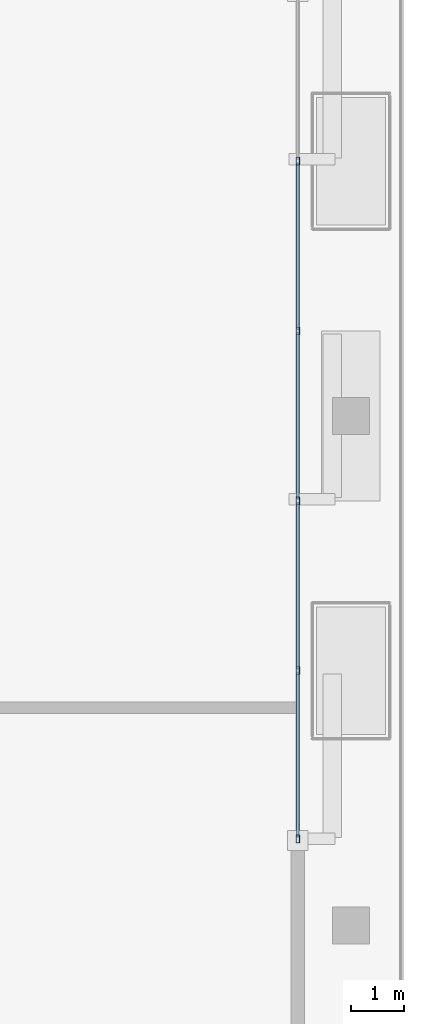
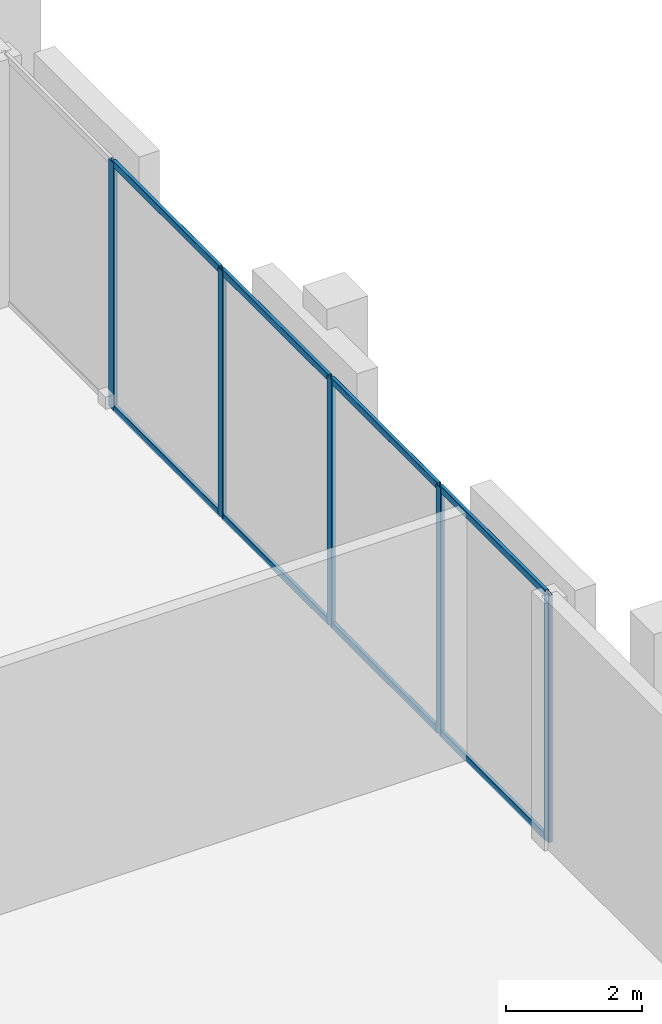
# One storey, part 6 of 16: 13 members, 1 element without a shape of its own.
"""IFC4 building model written with IfcOpenShell, lengths in metres."""

from ifc_helpers import new_model, si_unit, direction, frame, origin, origin_2d, place, context, subcontext, project, spatial, hollow_rectangle, extrude, material, layer, layer_set, material_profile, profile_set, type_object, element, aggregate, save


model = new_model("IFC4")

# Units and contexts
model_context = context("Model", 3, precision=1e-05, world=origin(), true_north=direction((0.0, 1.0)))
body_context = subcontext(model_context, "Body", "Model", "MODEL_VIEW")
ifc_project = project(units=[si_unit("LENGTHUNIT", "METRE"), si_unit("AREAUNIT", "SQUARE_METRE"), si_unit("VOLUMEUNIT", "CUBIC_METRE"), si_unit("PLANEANGLEUNIT", "RADIAN"), si_unit("MASSUNIT", "GRAM", prefix="KILO")], contexts=[model_context])

# Site, building, storey
site_placement = place(None, origin())
site = spatial("IfcSite", under=ifc_project, at=site_placement, CompositionType="ELEMENT")
building_placement = place(site_placement, origin())
building = spatial("IfcBuilding", under=site, at=building_placement, Name="An Khanh Terracotta Commons", CompositionType="ELEMENT")
storey_placement = place(building_placement, frame((0.0, 0.0, 5.39990234375)))
storey = spatial("IfcBuildingStorey", under=building, at=storey_placement, Name="L02", CompositionType="ELEMENT", Elevation=5.39990234375)

# Curtain wall, members
ifc_material = material(Name="Anodised Aluminium 6063-T6", Category="aluminium")
ifc_layer = layer(ifc_material, 0.179931640625, Name="Anodised Aluminium 6063-T6")
ifc_layer_set = layer_set([ifc_layer], Name="Anodised Aluminium 6063-T6")
curtain_wall_type = type_object("IfcCurtainWallType", Name="CW-SYS-01", PredefinedType="USERDEFINED", material=ifc_layer_set)
curtain_wall_placement = place(storey_placement, origin())
curtain_wall = element("IfcCurtainWall", 1, at=curtain_wall_placement, inside=storey, type_object=curtain_wall_type, Name="L02 CW-01 Unitised Curtain Wall CW-L02-EAST", ObjectType="UNITISED CURTAIN WALL", PredefinedType="USERDEFINED")
ifc_material_profile_1 = material_profile(ifc_material, hollow_rectangle(XDim=0.06494140625, YDim=0.14990234375, WallThickness=0.00390625, InnerFilletRadius=0.00390625, OuterFilletRadius=0.008056640625, at=origin_2d()), Name="RHS150x65x4")
ifc_profile_set_1 = profile_set([ifc_material_profile_1], Name="Anodised Aluminium 6063-T6")
member_type_1 = type_object("IfcMemberType", Name="CWM-RHS150x65x4", PredefinedType="MULLION", material=ifc_profile_set_1)
member_1_placement = place(storey_placement, frame((71.800048828125, 16.032470703125, 0.0), z_axis=(0.0, 0.0, 1.0), x_axis=(-1.0, 0.0, 0.0)))
member_1 = element("IfcMember", 2, at=member_1_placement, type_object=member_type_1, Name="CW-01 mullion 1", PredefinedType="MULLION", context=body_context, shape_type="SweptSolid", body=[
    extrude(hollow_rectangle(XDim=0.06494140625, YDim=0.14990234375, WallThickness=0.00390625, InnerFilletRadius=0.00390625, OuterFilletRadius=0.008056640625, at=origin_2d()), origin(), (0.0, 0.0, 1.0), 4.43017578125),
])
member_2_placement = place(storey_placement, frame((71.800048828125, 19.199951171875, 0.0), z_axis=(0.0, 0.0, 1.0), x_axis=(-1.0, 0.0, 0.0)))
member_2 = element("IfcMember", 3, at=member_2_placement, type_object=member_type_1, Name="CW-01 mullion 2", PredefinedType="MULLION", context=body_context, shape_type="SweptSolid", body=[
    extrude(hollow_rectangle(XDim=0.06494140625, YDim=0.14990234375, WallThickness=0.00390625, InnerFilletRadius=0.00390625, OuterFilletRadius=0.008056640625, at=origin_2d()), origin(), (0.0, 0.0, 1.0), 4.43017578125),
])
member_3_placement = place(storey_placement, frame((71.800048828125, 22.39990234375, 0.0), z_axis=(0.0, 0.0, 1.0), x_axis=(-1.0, 0.0, 0.0)))
member_3 = element("IfcMember", 4, at=member_3_placement, type_object=member_type_1, Name="CW-01 mullion 3", PredefinedType="MULLION", context=body_context, shape_type="SweptSolid", body=[
    extrude(hollow_rectangle(XDim=0.06494140625, YDim=0.14990234375, WallThickness=0.00390625, InnerFilletRadius=0.00390625, OuterFilletRadius=0.008056640625, at=origin_2d()), origin(), (0.0, 0.0, 1.0), 4.43017578125),
])
member_4_placement = place(storey_placement, frame((71.800048828125, 25.60009765625, 0.0), z_axis=(0.0, 0.0, 1.0), x_axis=(-1.0, 0.0, 0.0)))
member_4 = element("IfcMember", 5, at=member_4_placement, type_object=member_type_1, Name="CW-01 mullion 4", PredefinedType="MULLION", context=body_context, shape_type="SweptSolid", body=[
    extrude(hollow_rectangle(XDim=0.06494140625, YDim=0.14990234375, WallThickness=0.00390625, InnerFilletRadius=0.00390625, OuterFilletRadius=0.008056640625, at=origin_2d()), origin(), (0.0, 0.0, 1.0), 4.43017578125),
])
member_5_placement = place(storey_placement, frame((71.800048828125, 28.800048828125, 0.0), z_axis=(0.0, 0.0, 1.0), x_axis=(-1.0, 0.0, 0.0)))
member_5 = element("IfcMember", 6, at=member_5_placement, type_object=member_type_1, Name="CW-01 mullion 5", PredefinedType="MULLION", context=body_context, shape_type="SweptSolid", body=[
    extrude(hollow_rectangle(XDim=0.06494140625, YDim=0.14990234375, WallThickness=0.00390625, InnerFilletRadius=0.00390625, OuterFilletRadius=0.008056640625, at=origin_2d()), origin(), (0.0, 0.0, 1.0), 4.43017578125),
])
ifc_material_profile_2 = material_profile(ifc_material, hollow_rectangle(XDim=0.06005859375, YDim=0.1201171875, WallThickness=0.003662109375, InnerFilletRadius=0.003662109375, OuterFilletRadius=0.007080078125, at=origin_2d()), Name="RHS120x60x3.6")
ifc_profile_set_2 = profile_set([ifc_material_profile_2], Name="Anodised Aluminium 6063-T6")
member_type_2 = type_object("IfcMemberType", Name="CWT-RHS120x60x3.6", PredefinedType="USERDEFINED", material=ifc_profile_set_2)
member_6_placement = place(storey_placement, frame((71.800048828125, 16.06494140625, 0.030029296875), z_axis=(0.0, 1.0, 0.0), x_axis=(-1.0, 0.0, 0.0)))
member_6 = element("IfcMember", 7, at=member_6_placement, type_object=member_type_2, Name="CW-01 transom 1.1", ObjectType="TRANSOM", PredefinedType="USERDEFINED", context=body_context, shape_type="SweptSolid", body=[
    extrude(hollow_rectangle(XDim=0.06005859375, YDim=0.1201171875, WallThickness=0.003662109375, InnerFilletRadius=0.003662109375, OuterFilletRadius=0.007080078125, at=origin_2d()), origin(), (0.0, 0.0, 1.0), 3.1025390625),
])
member_7_placement = place(storey_placement, frame((71.800048828125, 16.06494140625, 4.400146484375), z_axis=(0.0, 1.0, 0.0), x_axis=(-1.0, 0.0, 0.0)))
member_7 = element("IfcMember", 8, at=member_7_placement, type_object=member_type_2, Name="CW-01 transom 1.2", ObjectType="TRANSOM", PredefinedType="USERDEFINED", context=body_context, shape_type="SweptSolid", body=[
    extrude(hollow_rectangle(XDim=0.06005859375, YDim=0.1201171875, WallThickness=0.003662109375, InnerFilletRadius=0.003662109375, OuterFilletRadius=0.007080078125, at=origin_2d()), origin(), (0.0, 0.0, 1.0), 3.1025390625),
])
member_8_placement = place(storey_placement, frame((71.800048828125, 19.232421875, 0.030029296875), z_axis=(0.0, 1.0, 0.0), x_axis=(-1.0, 0.0, 0.0)))
member_8 = element("IfcMember", 9, at=member_8_placement, type_object=member_type_2, Name="CW-01 transom 2.1", ObjectType="TRANSOM", PredefinedType="USERDEFINED", context=body_context, shape_type="SweptSolid", body=[
    extrude(hollow_rectangle(XDim=0.06005859375, YDim=0.1201171875, WallThickness=0.003662109375, InnerFilletRadius=0.003662109375, OuterFilletRadius=0.007080078125, at=origin_2d()), origin(), (0.0, 0.0, 1.0), 3.135009765625),
])
member_9_placement = place(storey_placement, frame((71.800048828125, 19.232421875, 4.400146484375), z_axis=(0.0, 1.0, 0.0), x_axis=(-1.0, 0.0, 0.0)))
member_9 = element("IfcMember", 10, at=member_9_placement, type_object=member_type_2, Name="CW-01 transom 2.2", ObjectType="TRANSOM", PredefinedType="USERDEFINED", context=body_context, shape_type="SweptSolid", body=[
    extrude(hollow_rectangle(XDim=0.06005859375, YDim=0.1201171875, WallThickness=0.003662109375, InnerFilletRadius=0.003662109375, OuterFilletRadius=0.007080078125, at=origin_2d()), origin(), (0.0, 0.0, 1.0), 3.135009765625),
])
member_10_placement = place(storey_placement, frame((71.800048828125, 22.4326171875, 0.030029296875), z_axis=(0.0, 1.0, 0.0), x_axis=(-1.0, 0.0, 0.0)))
member_10 = element("IfcMember", 11, at=member_10_placement, type_object=member_type_2, Name="CW-01 transom 3.1", ObjectType="TRANSOM", PredefinedType="USERDEFINED", context=body_context, shape_type="SweptSolid", body=[
    extrude(hollow_rectangle(XDim=0.06005859375, YDim=0.1201171875, WallThickness=0.003662109375, InnerFilletRadius=0.003662109375, OuterFilletRadius=0.007080078125, at=origin_2d()), origin(), (0.0, 0.0, 1.0), 3.134765625),
])
member_11_placement = place(storey_placement, frame((71.800048828125, 22.4326171875, 4.400146484375), z_axis=(0.0, 1.0, 0.0), x_axis=(-1.0, 0.0, 0.0)))
member_11 = element("IfcMember", 12, at=member_11_placement, type_object=member_type_2, Name="CW-01 transom 3.2", ObjectType="TRANSOM", PredefinedType="USERDEFINED", context=body_context, shape_type="SweptSolid", body=[
    extrude(hollow_rectangle(XDim=0.06005859375, YDim=0.1201171875, WallThickness=0.003662109375, InnerFilletRadius=0.003662109375, OuterFilletRadius=0.007080078125, at=origin_2d()), origin(), (0.0, 0.0, 1.0), 3.134765625),
])
member_12_placement = place(storey_placement, frame((71.800048828125, 25.632568359375, 0.030029296875), z_axis=(0.0, 1.0, 0.0), x_axis=(-1.0, 0.0, 0.0)))
member_12 = element("IfcMember", 13, at=member_12_placement, type_object=member_type_2, Name="CW-01 transom 4.1", ObjectType="TRANSOM", PredefinedType="USERDEFINED", context=body_context, shape_type="SweptSolid", body=[
    extrude(hollow_rectangle(XDim=0.06005859375, YDim=0.1201171875, WallThickness=0.003662109375, InnerFilletRadius=0.003662109375, OuterFilletRadius=0.007080078125, at=origin_2d()), origin(), (0.0, 0.0, 1.0), 3.135009765625),
])
member_13_placement = place(storey_placement, frame((71.800048828125, 25.632568359375, 4.400146484375), z_axis=(0.0, 1.0, 0.0), x_axis=(-1.0, 0.0, 0.0)))
member_13 = element("IfcMember", 14, at=member_13_placement, type_object=member_type_2, Name="CW-01 transom 4.2", ObjectType="TRANSOM", PredefinedType="USERDEFINED", context=body_context, shape_type="SweptSolid", body=[
    extrude(hollow_rectangle(XDim=0.06005859375, YDim=0.1201171875, WallThickness=0.003662109375, InnerFilletRadius=0.003662109375, OuterFilletRadius=0.007080078125, at=origin_2d()), origin(), (0.0, 0.0, 1.0), 3.135009765625),
])
aggregate(curtain_wall, [member_1, member_2, member_3, member_4, member_5, member_6, member_7, member_8, member_9, member_10, member_11, member_12, member_13])

save(model, "model.ifc")
